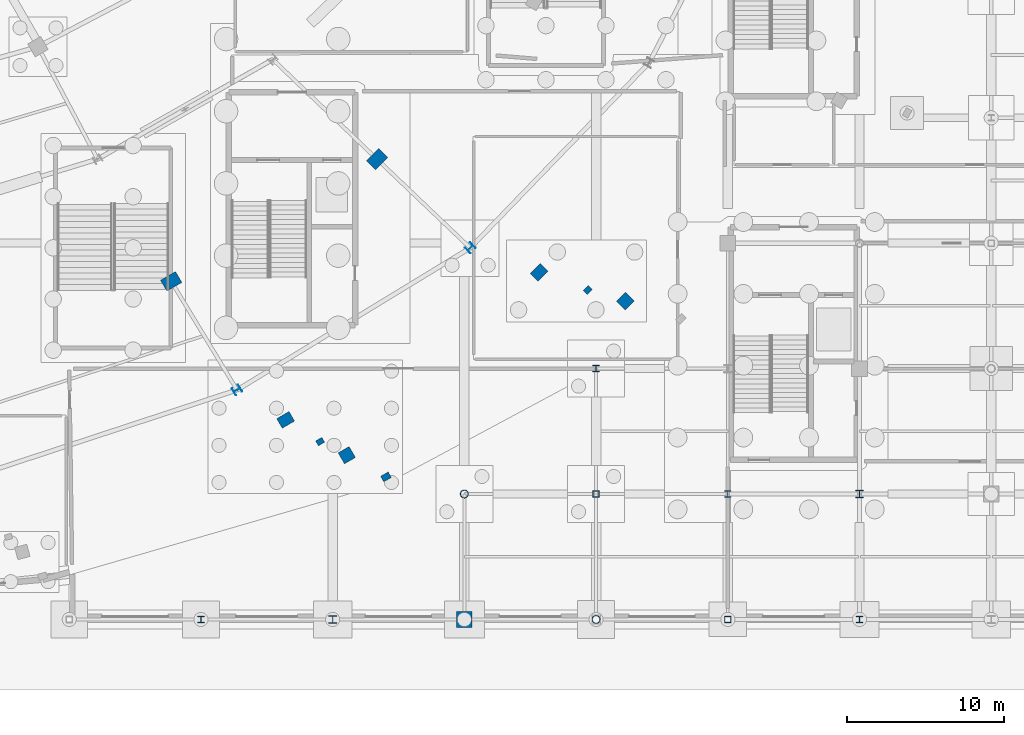
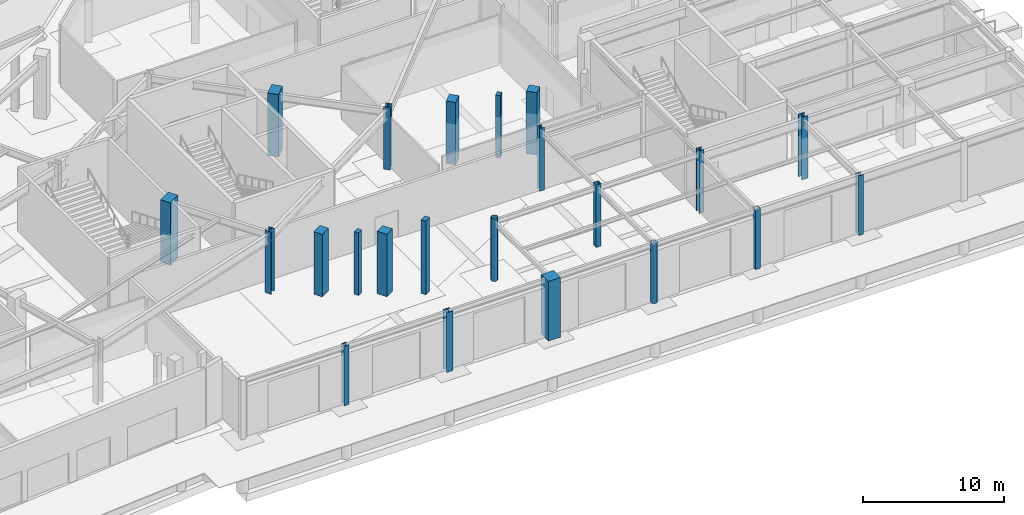
# One storey, part 25 of 93: 22 columns.
"""IFC4 building model written with IfcOpenShell, lengths in metres."""

import ifcopenshell
import ifcopenshell.guid

model = None  # the IFC model being written
_history = None  # IfcOwnerHistory: only IFC2X3 demands one
_inside = {}  # id of a spatial element -> (the spatial element, [elements in it])
_under = {}  # id of a project, library or spatial element -> (it, [spatial elements below it])
_declared = {}  # id of a project -> (the project, [libraries it declares])
_typed = {}  # id of a type object -> (the type object, [elements of that type])
_made_of = {}  # id of a material, layer set ... -> (it, [elements and type objects made of it])


def new_model(schema):
    """Start an empty IFC model of exactly this schema.

    Asked for "IFC4X3", IfcOpenShell would pick the latest addendum, in which some entities
    have other attributes; the version numbers below select the first issue.
    IFC2X3 requires an IfcOwnerHistory on every rooted entity: one is made here for all.
    """
    global model, _history
    if schema == "IFC4X3":
        model = ifcopenshell.file(schema_version=(4, 3, 0, 0))
    else:
        model = ifcopenshell.file(schema=schema)
    _inside.clear()
    _under.clear()
    _declared.clear()
    _typed.clear()
    _made_of.clear()
    _history = None
    if model.schema == "IFC2X3":
        org = make("IfcOrganization", Name="unknown")
        user = make(
            "IfcPersonAndOrganization",
            ThePerson=make("IfcPerson", FamilyName="unknown"),
            TheOrganization=org,
        )
        app = make(
            "IfcApplication",
            ApplicationDeveloper=org,
            Version="unknown",
            ApplicationFullName="unknown",
            ApplicationIdentifier="unknown",
        )
        _history = make(
            "IfcOwnerHistory",
            OwningUser=user,
            OwningApplication=app,
            ChangeAction="ADDED",
            CreationDate=0,
        )
    return model


def make(cls, **values):
    """One entity of the class cls with the attributes given. An attribute that is None is left unset."""
    return model.create_entity(
        cls, **{name: value for name, value in values.items() if value is not None}
    )


def rooted(cls, **values):
    """An entity with a GlobalId (a new one), such as an element, a storey or a relation."""
    return make(cls, GlobalId=ifcopenshell.guid.new(), OwnerHistory=_history, **values)


def si_unit(unit_type, name, prefix=None):
    """IfcSIUnit, for example si_unit("LENGTHUNIT", "METRE", prefix="MILLI")."""
    return make("IfcSIUnit", UnitType=unit_type, Prefix=prefix, Name=name)


def assignment(units):
    """IfcUnitAssignment: the units of a project."""
    return None if units is None else make("IfcUnitAssignment", Units=units)


def point(xyz):
    """IfcCartesianPoint."""
    return None if xyz is None else make("IfcCartesianPoint", Coordinates=xyz)


def direction(xyz):
    """IfcDirection."""
    return None if xyz is None else make("IfcDirection", DirectionRatios=xyz)


def frame(location, z_axis=None, x_axis=None):
    """IfcAxis2Placement3D, a coordinate frame: its origin and axes. An axis left out is left unset."""
    return make(
        "IfcAxis2Placement3D",
        Location=point(location),
        Axis=direction(z_axis),
        RefDirection=direction(x_axis),
    )


def frame_2d(location, x_axis=None):
    """IfcAxis2Placement2D, a coordinate frame in the plane: its origin and x axis."""
    return make(
        "IfcAxis2Placement2D", Location=point(location), RefDirection=direction(x_axis)
    )


def origin():
    """The frame at (0, 0, 0) with its axes left unset."""
    return frame((0.0, 0.0, 0.0))


def origin_2d():
    """The frame at (0, 0) in the plane with its x axis left unset."""
    return frame_2d((0.0, 0.0))


def place(relative_to, where):
    """IfcLocalPlacement: puts the frame where relative to a parent placement (None: the world)."""
    return make(
        "IfcLocalPlacement", PlacementRelTo=relative_to, RelativePlacement=where
    )


def context(
    kind, dimensions, precision=None, world=None, true_north=None, identifier=None
):
    """IfcGeometricRepresentationContext, for example the 3D "Model" context."""
    return make(
        "IfcGeometricRepresentationContext",
        ContextIdentifier=identifier,
        ContextType=kind,
        CoordinateSpaceDimension=dimensions,
        Precision=precision,
        WorldCoordinateSystem=world,
        TrueNorth=true_north,
    )


def subcontext(parent, identifier, kind, view, scale=None):
    """IfcGeometricRepresentationSubContext, for example "Body" below "Model"."""
    return make(
        "IfcGeometricRepresentationSubContext",
        ContextIdentifier=identifier,
        ContextType=kind,
        ParentContext=parent,
        TargetScale=scale,
        TargetView=view,
    )


def project(units=None, contexts=None):
    """IfcProject with its units and contexts."""
    return rooted(
        "IfcProject",
        Name="project",
        RepresentationContexts=contexts,
        UnitsInContext=assignment(units),
    )


def spatial(cls, under=None, at=None, **own):
    """A site, building, storey or space (cls), placed at a placement, below another one or the project."""
    s = rooted(cls, ObjectPlacement=at, **own)
    if under is not None:
        _under.setdefault(under.id(), (under, []))[1].append(s)
    return s


def profile(cls, at=None, kind="AREA", **sizes):
    """A parametric profile (cls). Its sizes go by their IFC names, for example OverallWidth=200.0."""
    return make(cls, ProfileType=kind, Position=at, **sizes)


def rectangle(**sizes):
    """IfcRectangleProfileDef."""
    return profile("IfcRectangleProfileDef", **sizes)


def hollow_rectangle(**sizes):
    """IfcRectangleHollowProfileDef."""
    return profile("IfcRectangleHollowProfileDef", **sizes)


def hollow_circle(**sizes):
    """IfcCircleHollowProfileDef."""
    return profile("IfcCircleHollowProfileDef", **sizes)


def i_section(**sizes):
    """IfcIShapeProfileDef."""
    return profile("IfcIShapeProfileDef", **sizes)


def extrude(swept, where, along, depth):
    """IfcExtrudedAreaSolid: the profile swept, set in the frame where, extruded along a direction by depth."""
    return make(
        "IfcExtrudedAreaSolid",
        SweptArea=swept,
        Position=where,
        ExtrudedDirection=direction(along),
        Depth=depth,
    )


def shape(context_of_items, identifier, shape_type, items):
    """IfcShapeRepresentation: the items that make up one representation, for example the "Body"."""
    return make(
        "IfcShapeRepresentation",
        ContextOfItems=context_of_items,
        RepresentationIdentifier=identifier,
        RepresentationType=shape_type,
        Items=items,
    )


def material(Name=None, Category=None):
    """IfcMaterial."""
    return make("IfcMaterial", Name=Name, Category=Category)


def material_profile(
    of_material, cross_section, Name=None, Category=None, Priority=None
):
    """IfcMaterialProfile: a cross section and its material."""
    return make(
        "IfcMaterialProfile",
        Name=Name,
        Material=of_material,
        Profile=cross_section,
        Priority=Priority,
        Category=Category,
    )


def profile_set(profiles, Name=None, composite=None):
    """IfcMaterialProfileSet."""
    return make(
        "IfcMaterialProfileSet",
        Name=Name,
        MaterialProfiles=profiles,
        CompositeProfile=composite,
    )


def made_of(thing, what):
    """Note that an element or type object is made of a material, layer set ...; save() writes the relation."""
    if what is not None:
        _made_of.setdefault(what.id(), (what, []))[1].append(thing)
    return thing


def type_object(cls, material=None, **own):
    """A type object (cls), such as IfcWallType, which elements share."""
    return made_of(rooted(cls, **own), material)


def element(
    cls,
    number,
    at=None,
    inside=None,
    cuts=None,
    type_object=None,
    material=None,
    context=None,
    identifier="Body",
    shape_type=None,
    held_by="IfcProductDefinitionShape",
    body=None,
    shapes=None,
    **own,
):
    """One element of the class cls, such as IfcWall. Its Tag is "e" and its number.

    at: its placement. inside: the storey or other place that contains it. cuts: it is an
    opening in that element (IfcRelVoidsElement). A single representation is given by context,
    identifier, shape_type and body (its items); several are given by shapes. held_by: the class
    of the entity that holds the representations. save() writes the other relations.
    """
    e = rooted(cls, Tag="e%d" % number, ObjectPlacement=at, **own)
    if body is not None:
        shapes = [shape(context, identifier, shape_type, body)]
    if shapes is not None:
        e.Representation = make(held_by, Representations=shapes)
    if inside is not None:
        _inside.setdefault(inside.id(), (inside, []))[1].append(e)
    if cuts is not None:
        rooted(
            "IfcRelVoidsElement", RelatingBuildingElement=cuts, RelatedOpeningElement=e
        )
    if type_object is not None:
        _typed.setdefault(type_object.id(), (type_object, []))[1].append(e)
    return made_of(e, material)


def aggregate(whole, parts):
    """IfcRelAggregates: a whole, such as a stair, and the parts it consists of."""
    return rooted("IfcRelAggregates", RelatingObject=whole, RelatedObjects=parts)


def save(model, path):
    """Write the relations noted so far, then the file.

    IfcRelAggregates (storeys below a building ...), IfcRelContainedInSpatialStructure (elements
    in a storey), IfcRelDefinesByType, IfcRelAssociatesMaterial and IfcRelDeclares: one each for
    every whole, place, type object, material and project.
    """
    for whole, parts in _under.values():
        aggregate(whole, parts)
    for where, things in _inside.values():
        rooted(
            "IfcRelContainedInSpatialStructure",
            RelatedElements=things,
            RelatingStructure=where,
        )
    for kind, things in _typed.values():
        rooted("IfcRelDefinesByType", RelatedObjects=things, RelatingType=kind)
    for what, things in _made_of.values():
        rooted("IfcRelAssociatesMaterial", RelatedObjects=things, RelatingMaterial=what)
    for by, libraries in _declared.values():
        rooted("IfcRelDeclares", RelatingContext=by, RelatedDefinitions=libraries)
    model.write(path)


model = new_model("IFC4")

# Units and contexts
model_context = context("Model", 3, precision=1e-05, world=origin(), true_north=direction((0.0, 1.0)))
body_context = subcontext(model_context, "Body", "Model", "MODEL_VIEW")
ifc_project = project(units=[si_unit("LENGTHUNIT", "METRE"), si_unit("AREAUNIT", "SQUARE_METRE"), si_unit("VOLUMEUNIT", "CUBIC_METRE"), si_unit("PLANEANGLEUNIT", "RADIAN"), si_unit("MASSUNIT", "GRAM", prefix="KILO")], contexts=[model_context])

# Site, building, storey
site_placement = place(None, origin())
site = spatial("IfcSite", under=ifc_project, at=site_placement, CompositionType="ELEMENT")
building_placement = place(site_placement, origin())
building = spatial("IfcBuilding", under=site, at=building_placement, Name="Kalgoora Escarpment Arena", CompositionType="ELEMENT")
storey_placement = place(building_placement, origin())
storey = spatial("IfcBuildingStorey", under=building, at=storey_placement, Name="L00", CompositionType="ELEMENT", Elevation=0.0)

# Columns
ifc_material_1 = material(Name="Structural steel Grade 350 (350 MPa)", Category="steel")
ifc_material_profile_1 = material_profile(ifc_material_1, i_section(OverallWidth=0.39990234375, OverallDepth=0.39990234375, WebThickness=0.01806640625, FlangeThickness=0.031982421875, at=origin_2d()))
ifc_profile_set_1 = profile_set([ifc_material_profile_1], Name="Structural steel Grade 350 (350 MPa)")
column_type_1 = type_object("IfcColumnType", Name="COL-COL-400WC270", PredefinedType="COLUMN", material=ifc_profile_set_1)
column_1_placement = place(storey_placement, frame((126.0, 0.0, 0.0), z_axis=(0.0, 0.0, 1.0), x_axis=(1.0, 0.0, 0.0)))
element("IfcColumn", 1, at=column_1_placement, inside=storey, type_object=column_type_1, Name="L00 structural column COL-G16-A", PredefinedType="COLUMN", context=body_context, shape_type="SweptSolid", body=[
    extrude(i_section(OverallWidth=0.39990234375, OverallDepth=0.39990234375, WebThickness=0.01806640625, FlangeThickness=0.031982421875, at=origin_2d()), origin(), (0.0, 0.0, 1.0), 5.14990234375),
])
for number, where, z_axis, x_axis, name in (
    (2, (151.199951171875, 16.0, 0.0), (0.0, 0.0, 1.0), (1.0, 0.0, 0.0), "L00 structural column COL-G19-C"),
    (3, (159.60009765625, 8.0, 0.0), (0.0, 0.0, 1.0), (1.0, 0.0, 0.0), "L00 structural column COL-G20-B"),
):
    element("IfcColumn", number, at=place(storey_placement, frame(where, z_axis=z_axis, x_axis=x_axis)), inside=storey, type_object=column_type_1, Name=name, PredefinedType="COLUMN", context=body_context, shape_type="SweptSolid", body=[
        extrude(i_section(OverallWidth=0.39990234375, OverallDepth=0.39990234375, WebThickness=0.01806640625, FlangeThickness=0.031982421875, at=origin_2d()), origin(), (0.0, 0.0, 1.0), 5.39990234375),
    ])
column_2_placement = place(storey_placement, frame((168.0, 0.0, 0.0), z_axis=(0.0, 0.0, 1.0), x_axis=(1.0, 0.0, 0.0)))
element("IfcColumn", 4, at=column_2_placement, inside=storey, type_object=column_type_1, Name="L00 structural column COL-G21-A", PredefinedType="COLUMN", context=body_context, shape_type="SweptSolid", body=[
    extrude(i_section(OverallWidth=0.39990234375, OverallDepth=0.39990234375, WebThickness=0.01806640625, FlangeThickness=0.031982421875, at=origin_2d()), origin(), (0.0, 0.0, 1.0), 5.14990234375),
])
ifc_material_2 = material(Name="Structural steel C450 (450 MPa)", Category="steel")
ifc_material_profile_2 = material_profile(ifc_material_2, hollow_rectangle(XDim=0.39990234375, YDim=0.39990234375, WallThickness=0.01611328125, at=origin_2d()))
ifc_profile_set_2 = profile_set([ifc_material_profile_2], Name="Structural steel C450 (450 MPa)")
column_type_2 = type_object("IfcColumnType", Name="COL-COL-400x400x16.0SHS", PredefinedType="COLUMN", material=ifc_profile_set_2)
column_3_placement = place(storey_placement, frame((151.199951171875, 8.0, 0.0), z_axis=(0.0, 0.0, 1.0), x_axis=(1.0, 0.0, 0.0)))
element("IfcColumn", 5, at=column_3_placement, inside=storey, type_object=column_type_2, Name="L00 structural column COL-G19-B", PredefinedType="COLUMN", context=body_context, shape_type="SweptSolid", body=[
    extrude(hollow_rectangle(XDim=0.39990234375, YDim=0.39990234375, WallThickness=0.01611328125, at=origin_2d()), origin(), (0.0, 0.0, 1.0), 5.39990234375),
])
column_4_placement = place(storey_placement, frame((159.60009765625, 0.0, 0.0), z_axis=(0.0, 0.0, 1.0), x_axis=(1.0, 0.0, 0.0)))
element("IfcColumn", 6, at=column_4_placement, inside=storey, type_object=column_type_2, Name="L00 structural column COL-G20-A", PredefinedType="COLUMN", context=body_context, shape_type="SweptSolid", body=[
    extrude(hollow_rectangle(XDim=0.39990234375, YDim=0.39990234375, WallThickness=0.01611328125, at=origin_2d()), origin(), (0.0, 0.0, 1.0), 5.14990234375),
])
ifc_material_3 = material(Name="Structural steel Grade 350 (350 MPa)", Category="steel")
ifc_material_profile_3 = material_profile(ifc_material_3, i_section(OverallWidth=0.5, OverallDepth=0.5, WebThickness=0.02001953125, FlangeThickness=0.034912109375, at=origin_2d()))
ifc_profile_set_3 = profile_set([ifc_material_profile_3], Name="Structural steel Grade 350 (350 MPa)")
column_type_3 = type_object("IfcColumnType", Name="COL-COL-500WC340", PredefinedType="COLUMN", material=ifc_profile_set_3)
for number, where, z_axis, x_axis, name in (
    (7, (128.300048828125, 14.63671875, 0.0), (0.0, 0.0, 1.0), (0.5, -0.866025403784, 0.0), "L00 structural column COL-RCONC2-R21"),
    (8, (143.17041015625, 23.69482421875, 0.0), (0.0, 0.0, 1.0), (0.707106781187, -0.707106781187, 0.0), "L00 structural column COL-RCONC2-R22"),
):
    element("IfcColumn", number, at=place(storey_placement, frame(where, z_axis=z_axis, x_axis=x_axis)), inside=storey, type_object=column_type_3, Name=name, PredefinedType="COLUMN", context=body_context, shape_type="SweptSolid", body=[
        extrude(i_section(OverallWidth=0.5, OverallDepth=0.5, WebThickness=0.02001953125, FlangeThickness=0.034912109375, at=origin_2d()), origin(), (0.0, 0.0, 1.0), 5.39990234375),
    ])
column_5_placement = place(storey_placement, frame((134.39990234375, 0.0, 0.0), z_axis=(0.0, 0.0, 1.0), x_axis=(1.0, 0.0, 0.0)))
element("IfcColumn", 9, at=column_5_placement, inside=storey, type_object=column_type_3, Name="L00 structural column COL-G17-A", PredefinedType="COLUMN", context=body_context, shape_type="SweptSolid", body=[
    extrude(i_section(OverallWidth=0.5, OverallDepth=0.5, WebThickness=0.02001953125, FlangeThickness=0.034912109375, at=origin_2d()), origin(), (0.0, 0.0, 1.0), 5.14990234375),
])
column_6_placement = place(storey_placement, frame((168.0, 8.0, 0.0), z_axis=(0.0, 0.0, 1.0), x_axis=(1.0, 0.0, 0.0)))
element("IfcColumn", 10, at=column_6_placement, inside=storey, type_object=column_type_3, Name="L00 structural column COL-G21-B", PredefinedType="COLUMN", context=body_context, shape_type="SweptSolid", body=[
    extrude(i_section(OverallWidth=0.5, OverallDepth=0.5, WebThickness=0.02001953125, FlangeThickness=0.034912109375, at=origin_2d()), origin(), (0.0, 0.0, 1.0), 5.39990234375),
])
ifc_material_4 = material(Name="Structural steel C350 (350 MPa)", Category="steel")
ifc_material_profile_4 = material_profile(ifc_material_4, hollow_circle(Radius=0.25390625, WallThickness=0.01611328125, at=origin_2d()))
ifc_profile_set_4 = profile_set([ifc_material_profile_4], Name="Structural steel C350 (350 MPa)")
column_type_4 = type_object("IfcColumnType", Name="COL-COL-508.0x16.0CHS", PredefinedType="COLUMN", material=ifc_profile_set_4)
column_7_placement = place(storey_placement, frame((142.800048828125, 8.0, 0.0), z_axis=(0.0, 0.0, 1.0), x_axis=(1.0, 0.0, 0.0)))
element("IfcColumn", 11, at=column_7_placement, inside=storey, type_object=column_type_4, Name="L00 structural column COL-G18-B", PredefinedType="COLUMN", context=body_context, shape_type="SweptSolid", body=[
    extrude(hollow_circle(Radius=0.25390625, WallThickness=0.01611328125, at=origin_2d()), origin(), (0.0, 0.0, 1.0), 5.39990234375),
])
column_8_placement = place(storey_placement, frame((151.199951171875, 0.0, 0.0), z_axis=(0.0, 0.0, 1.0), x_axis=(1.0, 0.0, 0.0)))
element("IfcColumn", 12, at=column_8_placement, inside=storey, type_object=column_type_4, Name="L00 structural column COL-G19-A", PredefinedType="COLUMN", context=body_context, shape_type="SweptSolid", body=[
    extrude(hollow_circle(Radius=0.25390625, WallThickness=0.01611328125, at=origin_2d()), origin(), (0.0, 0.0, 1.0), 5.14990234375),
])
ifc_material_5 = material(Name="Concrete N50 (fc' 50 MPa)", Category="concrete")
ifc_material_profile_5 = material_profile(ifc_material_5, rectangle(XDim=1.0, YDim=1.0, at=origin_2d()))
ifc_profile_set_5 = profile_set([ifc_material_profile_5], Name="Concrete N50 (fc' 50 MPa)")
column_type_5 = type_object("IfcColumnType", Name="COL-COL-RC1000x1000", PredefinedType="COLUMN", material=ifc_profile_set_5)
column_9_placement = place(storey_placement, frame((142.800048828125, 0.0, 0.0), z_axis=(0.0, 0.0, 1.0), x_axis=(1.0, 0.0, 0.0)))
element("IfcColumn", 13, at=column_9_placement, inside=storey, type_object=column_type_5, Name="L00 structural column COL-G18-A", PredefinedType="COLUMN", context=body_context, shape_type="SweptSolid", body=[
    extrude(rectangle(XDim=1.0, YDim=1.0, at=origin_2d()), origin(), (0.0, 0.0, 1.0), 5.14990234375),
])
ifc_material_6 = material(Name="Concrete N50 (fc' 50 MPa)", Category="concrete")
ifc_material_profile_6 = material_profile(ifc_material_6, rectangle(XDim=0.800048828125, YDim=1.10009765625, at=origin_2d()))
ifc_profile_set_6 = profile_set([ifc_material_profile_6], Name="Concrete N50 (fc' 50 MPa)")
column_type_6 = type_object("IfcColumnType", Name="COL-COL-RC1100x800", PredefinedType="COLUMN", material=ifc_profile_set_6)
for number, where, z_axis, x_axis, name in (
    (14, (124.10009765625, 21.564697265625, 0.0), (0.0, 0.0, 1.0), (0.5, -0.866025403784, 0.0), "L00 structural column COL-RCONC1-R21"),
    (15, (137.230712890625, 29.351806640625, 0.0), (0.0, 0.0, 1.0), (0.707106781187, -0.707106781187, 0.0), "L00 structural column COL-RCONC1-R22"),
):
    element("IfcColumn", number, at=place(storey_placement, frame(where, z_axis=z_axis, x_axis=x_axis)), inside=storey, type_object=column_type_6, Name=name, PredefinedType="COLUMN", context=body_context, shape_type="SweptSolid", body=[
        extrude(rectangle(XDim=0.800048828125, YDim=1.10009765625, at=origin_2d()), origin(), (0.0, 0.0, 1.0), 5.39990234375),
    ])
ifc_material_7 = material(Name="Concrete N50 (fc' 50 MPa)", Category="concrete")
ifc_material_profile_7 = material_profile(ifc_material_7, rectangle(XDim=0.800048828125, YDim=0.800048828125, at=origin_2d()))
ifc_profile_set_7 = profile_set([ifc_material_profile_7], Name="Concrete N50 (fc' 50 MPa)")
column_type_7 = type_object("IfcColumnType", Name="COL-COL-RC800x800", PredefinedType="COLUMN", material=ifc_profile_set_7)
for number, where, z_axis, x_axis, name in (
    (16, (135.300048828125, 10.4794921875, 0.0), (0.0, 0.0, 1.0), (0.5, -0.866025403784, 0.0), "L00 structural column COL-RBASE2-R21"),
    (17, (153.06982421875, 20.30078125, 0.0), (0.0, 0.0, 1.0), (0.707106781187, -0.707106781187, 0.0), "L00 structural column COL-RBASE2-R22"),
):
    element("IfcColumn", number, at=place(storey_placement, frame(where, z_axis=z_axis, x_axis=x_axis)), inside=storey, type_object=column_type_7, Name=name, PredefinedType="COLUMN", context=body_context, shape_type="SweptSolid", body=[
        extrude(rectangle(XDim=0.800048828125, YDim=0.800048828125, at=origin_2d()), origin(), (0.0, 0.0, 1.0), 5.39990234375),
    ])
ifc_material_8 = material(Name="Concrete N50 (fc' 50 MPa)", Category="concrete")
ifc_material_profile_8 = material_profile(ifc_material_8, rectangle(XDim=0.699951171875, YDim=0.89990234375, at=origin_2d()))
ifc_profile_set_8 = profile_set([ifc_material_profile_8], Name="Concrete N50 (fc' 50 MPa)")
column_type_8 = type_object("IfcColumnType", Name="COL-COL-RC900x700", PredefinedType="COLUMN", material=ifc_profile_set_8)
for number, where, z_axis, x_axis, name in (
    (18, (131.39990234375, 12.731201171875, 0.0), (0.0, 0.0, 1.0), (0.5, -0.866025403784, 0.0), "L00 structural column COL-RBASE1-R21"),
    (19, (147.55419921875, 22.139404296875, 0.0), (0.0, 0.0, 1.0), (0.707106781187, -0.707106781187, 0.0), "L00 structural column COL-RBASE1-R22"),
):
    element("IfcColumn", number, at=place(storey_placement, frame(where, z_axis=z_axis, x_axis=x_axis)), inside=storey, type_object=column_type_8, Name=name, PredefinedType="COLUMN", context=body_context, shape_type="SweptSolid", body=[
        extrude(rectangle(XDim=0.699951171875, YDim=0.89990234375, at=origin_2d()), origin(), (0.0, 0.0, 1.0), 5.39990234375),
    ])
ifc_material_9 = material(Name="Precast concrete N50 (fc' 50 MPa)", Category="concrete")
ifc_material_profile_9 = material_profile(ifc_material_9, rectangle(XDim=0.35009765625, YDim=0.449951171875, at=origin_2d()))
ifc_profile_set_9 = profile_set([ifc_material_profile_9], Name="Precast concrete N50 (fc' 50 MPa)")
column_type_9 = type_object("IfcColumnType", Name="COL-PIL-PC-PILASTER-450x350", PredefinedType="PILASTER", material=ifc_profile_set_9)
for number, where, z_axis, x_axis, name in (
    (20, (133.60009765625, 11.345947265625, 0.0), (0.0, 0.0, 1.0), (0.5, -0.866025403784, 0.0), "L00 fluted pilaster PIL-066"),
    (21, (150.666015625, 21.008056640625, 0.0), (0.0, 0.0, 1.0), (0.707106781187, -0.707106781187, 0.0), "L00 fluted pilaster PIL-067"),
):
    element("IfcColumn", number, at=place(storey_placement, frame(where, z_axis=z_axis, x_axis=x_axis)), inside=storey, type_object=column_type_9, Name=name, PredefinedType="PILASTER", context=body_context, shape_type="SweptSolid", body=[
        extrude(rectangle(XDim=0.35009765625, YDim=0.449951171875, at=origin_2d()), origin(), (0.0, 0.0, 1.0), 5.39990234375),
    ])
ifc_material_10 = material(Name="Precast concrete N50 (fc' 50 MPa)", Category="concrete")
ifc_material_profile_10 = material_profile(ifc_material_10, rectangle(XDim=0.39990234375, YDim=0.550048828125, at=origin_2d()))
ifc_profile_set_10 = profile_set([ifc_material_profile_10], Name="Precast concrete N50 (fc' 50 MPa)")
column_type_10 = type_object("IfcColumnType", Name="COL-PIL-PC-PILASTER-550x400", PredefinedType="PILASTER", material=ifc_profile_set_10)
column_10_placement = place(storey_placement, frame((137.800048828125, 9.093994140625, 0.0), z_axis=(0.0, 0.0, 1.0), x_axis=(0.5, -0.866025403784, 0.0)))
element("IfcColumn", 22, at=column_10_placement, inside=storey, type_object=column_type_10, Name="L00 fluted pilaster PIL-042", PredefinedType="PILASTER", context=body_context, shape_type="SweptSolid", body=[
    extrude(rectangle(XDim=0.39990234375, YDim=0.550048828125, at=origin_2d()), origin(), (0.0, 0.0, 1.0), 6.35009765625),
])

save(model, "model.ifc")
